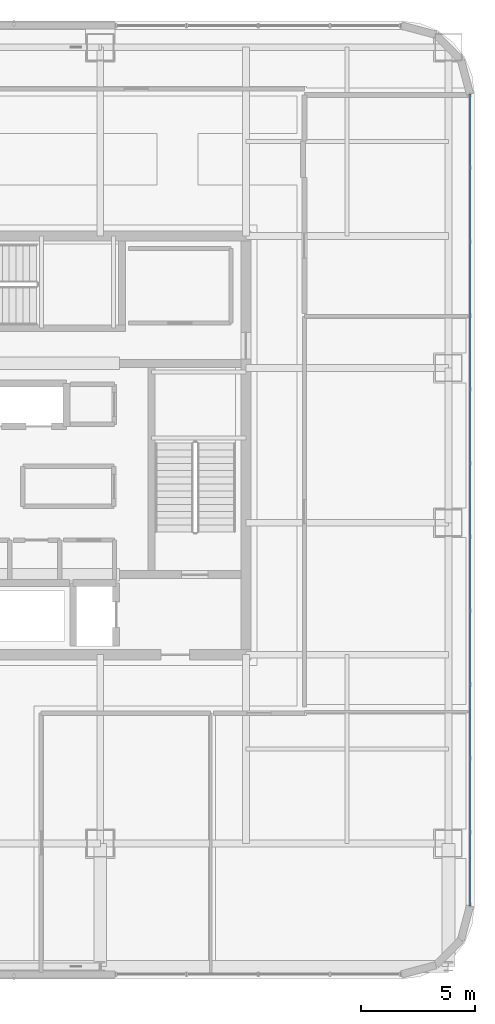
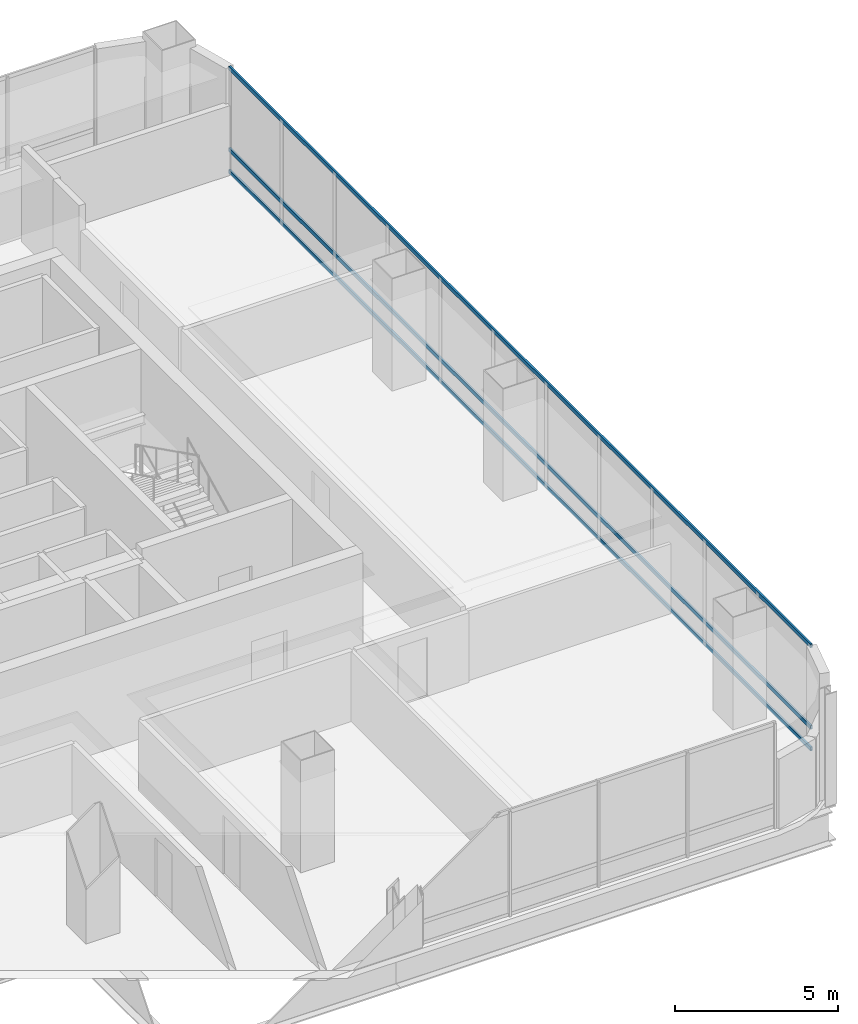
# One storey, part 22 of 46: 3 members, 1 element without a shape of its own.
"""IFC4 building model written with IfcOpenShell, lengths in metres."""

import ifcopenshell
import ifcopenshell.guid

model = None  # the IFC model being written
_history = None  # IfcOwnerHistory: only IFC2X3 demands one
_inside = {}  # id of a spatial element -> (the spatial element, [elements in it])
_under = {}  # id of a project, library or spatial element -> (it, [spatial elements below it])
_declared = {}  # id of a project -> (the project, [libraries it declares])
_typed = {}  # id of a type object -> (the type object, [elements of that type])
_made_of = {}  # id of a material, layer set ... -> (it, [elements and type objects made of it])


def new_model(schema):
    """Start an empty IFC model of exactly this schema.

    Asked for "IFC4X3", IfcOpenShell would pick the latest addendum, in which some entities
    have other attributes; the version numbers below select the first issue.
    IFC2X3 requires an IfcOwnerHistory on every rooted entity: one is made here for all.
    """
    global model, _history
    if schema == "IFC4X3":
        model = ifcopenshell.file(schema_version=(4, 3, 0, 0))
    else:
        model = ifcopenshell.file(schema=schema)
    _inside.clear()
    _under.clear()
    _declared.clear()
    _typed.clear()
    _made_of.clear()
    _history = None
    if model.schema == "IFC2X3":
        org = make("IfcOrganization", Name="unknown")
        user = make(
            "IfcPersonAndOrganization",
            ThePerson=make("IfcPerson", FamilyName="unknown"),
            TheOrganization=org,
        )
        app = make(
            "IfcApplication",
            ApplicationDeveloper=org,
            Version="unknown",
            ApplicationFullName="unknown",
            ApplicationIdentifier="unknown",
        )
        _history = make(
            "IfcOwnerHistory",
            OwningUser=user,
            OwningApplication=app,
            ChangeAction="ADDED",
            CreationDate=0,
        )
    return model


def make(cls, **values):
    """One entity of the class cls with the attributes given. An attribute that is None is left unset."""
    return model.create_entity(
        cls, **{name: value for name, value in values.items() if value is not None}
    )


def rooted(cls, **values):
    """An entity with a GlobalId (a new one), such as an element, a storey or a relation."""
    return make(cls, GlobalId=ifcopenshell.guid.new(), OwnerHistory=_history, **values)


def si_unit(unit_type, name, prefix=None):
    """IfcSIUnit, for example si_unit("LENGTHUNIT", "METRE", prefix="MILLI")."""
    return make("IfcSIUnit", UnitType=unit_type, Prefix=prefix, Name=name)


def assignment(units):
    """IfcUnitAssignment: the units of a project."""
    return None if units is None else make("IfcUnitAssignment", Units=units)


def point(xyz):
    """IfcCartesianPoint."""
    return None if xyz is None else make("IfcCartesianPoint", Coordinates=xyz)


def direction(xyz):
    """IfcDirection."""
    return None if xyz is None else make("IfcDirection", DirectionRatios=xyz)


def frame(location, z_axis=None, x_axis=None):
    """IfcAxis2Placement3D, a coordinate frame: its origin and axes. An axis left out is left unset."""
    return make(
        "IfcAxis2Placement3D",
        Location=point(location),
        Axis=direction(z_axis),
        RefDirection=direction(x_axis),
    )


def frame_2d(location, x_axis=None):
    """IfcAxis2Placement2D, a coordinate frame in the plane: its origin and x axis."""
    return make(
        "IfcAxis2Placement2D", Location=point(location), RefDirection=direction(x_axis)
    )


def origin():
    """The frame at (0, 0, 0) with its axes left unset."""
    return frame((0.0, 0.0, 0.0))


def origin_2d():
    """The frame at (0, 0) in the plane with its x axis left unset."""
    return frame_2d((0.0, 0.0))


def place(relative_to, where):
    """IfcLocalPlacement: puts the frame where relative to a parent placement (None: the world)."""
    return make(
        "IfcLocalPlacement", PlacementRelTo=relative_to, RelativePlacement=where
    )


def context(
    kind, dimensions, precision=None, world=None, true_north=None, identifier=None
):
    """IfcGeometricRepresentationContext, for example the 3D "Model" context."""
    return make(
        "IfcGeometricRepresentationContext",
        ContextIdentifier=identifier,
        ContextType=kind,
        CoordinateSpaceDimension=dimensions,
        Precision=precision,
        WorldCoordinateSystem=world,
        TrueNorth=true_north,
    )


def subcontext(parent, identifier, kind, view, scale=None):
    """IfcGeometricRepresentationSubContext, for example "Body" below "Model"."""
    return make(
        "IfcGeometricRepresentationSubContext",
        ContextIdentifier=identifier,
        ContextType=kind,
        ParentContext=parent,
        TargetScale=scale,
        TargetView=view,
    )


def project(units=None, contexts=None):
    """IfcProject with its units and contexts."""
    return rooted(
        "IfcProject",
        Name="project",
        RepresentationContexts=contexts,
        UnitsInContext=assignment(units),
    )


def spatial(cls, under=None, at=None, **own):
    """A site, building, storey or space (cls), placed at a placement, below another one or the project."""
    s = rooted(cls, ObjectPlacement=at, **own)
    if under is not None:
        _under.setdefault(under.id(), (under, []))[1].append(s)
    return s


def profile(cls, at=None, kind="AREA", **sizes):
    """A parametric profile (cls). Its sizes go by their IFC names, for example OverallWidth=200.0."""
    return make(cls, ProfileType=kind, Position=at, **sizes)


def hollow_rectangle(**sizes):
    """IfcRectangleHollowProfileDef."""
    return profile("IfcRectangleHollowProfileDef", **sizes)


def extrude(swept, where, along, depth):
    """IfcExtrudedAreaSolid: the profile swept, set in the frame where, extruded along a direction by depth."""
    return make(
        "IfcExtrudedAreaSolid",
        SweptArea=swept,
        Position=where,
        ExtrudedDirection=direction(along),
        Depth=depth,
    )


def shape(context_of_items, identifier, shape_type, items):
    """IfcShapeRepresentation: the items that make up one representation, for example the "Body"."""
    return make(
        "IfcShapeRepresentation",
        ContextOfItems=context_of_items,
        RepresentationIdentifier=identifier,
        RepresentationType=shape_type,
        Items=items,
    )


def material(Name=None, Category=None):
    """IfcMaterial."""
    return make("IfcMaterial", Name=Name, Category=Category)


def material_profile(
    of_material, cross_section, Name=None, Category=None, Priority=None
):
    """IfcMaterialProfile: a cross section and its material."""
    return make(
        "IfcMaterialProfile",
        Name=Name,
        Material=of_material,
        Profile=cross_section,
        Priority=Priority,
        Category=Category,
    )


def profile_set(profiles, Name=None, composite=None):
    """IfcMaterialProfileSet."""
    return make(
        "IfcMaterialProfileSet",
        Name=Name,
        MaterialProfiles=profiles,
        CompositeProfile=composite,
    )


def made_of(thing, what):
    """Note that an element or type object is made of a material, layer set ...; save() writes the relation."""
    if what is not None:
        _made_of.setdefault(what.id(), (what, []))[1].append(thing)
    return thing


def type_object(cls, material=None, **own):
    """A type object (cls), such as IfcWallType, which elements share."""
    return made_of(rooted(cls, **own), material)


def element(
    cls,
    number,
    at=None,
    inside=None,
    cuts=None,
    type_object=None,
    material=None,
    context=None,
    identifier="Body",
    shape_type=None,
    held_by="IfcProductDefinitionShape",
    body=None,
    shapes=None,
    **own,
):
    """One element of the class cls, such as IfcWall. Its Tag is "e" and its number.

    at: its placement. inside: the storey or other place that contains it. cuts: it is an
    opening in that element (IfcRelVoidsElement). A single representation is given by context,
    identifier, shape_type and body (its items); several are given by shapes. held_by: the class
    of the entity that holds the representations. save() writes the other relations.
    """
    e = rooted(cls, Tag="e%d" % number, ObjectPlacement=at, **own)
    if body is not None:
        shapes = [shape(context, identifier, shape_type, body)]
    if shapes is not None:
        e.Representation = make(held_by, Representations=shapes)
    if inside is not None:
        _inside.setdefault(inside.id(), (inside, []))[1].append(e)
    if cuts is not None:
        rooted(
            "IfcRelVoidsElement", RelatingBuildingElement=cuts, RelatedOpeningElement=e
        )
    if type_object is not None:
        _typed.setdefault(type_object.id(), (type_object, []))[1].append(e)
    return made_of(e, material)


def aggregate(whole, parts):
    """IfcRelAggregates: a whole, such as a stair, and the parts it consists of."""
    return rooted("IfcRelAggregates", RelatingObject=whole, RelatedObjects=parts)


def save(model, path):
    """Write the relations noted so far, then the file.

    IfcRelAggregates (storeys below a building ...), IfcRelContainedInSpatialStructure (elements
    in a storey), IfcRelDefinesByType, IfcRelAssociatesMaterial and IfcRelDeclares: one each for
    every whole, place, type object, material and project.
    """
    for whole, parts in _under.values():
        aggregate(whole, parts)
    for where, things in _inside.values():
        rooted(
            "IfcRelContainedInSpatialStructure",
            RelatedElements=things,
            RelatingStructure=where,
        )
    for kind, things in _typed.values():
        rooted("IfcRelDefinesByType", RelatedObjects=things, RelatingType=kind)
    for what, things in _made_of.values():
        rooted("IfcRelAssociatesMaterial", RelatedObjects=things, RelatingMaterial=what)
    for by, libraries in _declared.values():
        rooted("IfcRelDeclares", RelatingContext=by, RelatedDefinitions=libraries)
    model.write(path)


model = new_model("IFC4")

# Units and contexts
model_context = context("Model", 3, precision=1e-05, world=origin(), true_north=direction((0.0, 1.0)))
body_context = subcontext(model_context, "Body", "Model", "MODEL_VIEW")
ifc_project = project(units=[si_unit("LENGTHUNIT", "METRE"), si_unit("AREAUNIT", "SQUARE_METRE"), si_unit("VOLUMEUNIT", "CUBIC_METRE"), si_unit("PLANEANGLEUNIT", "RADIAN"), si_unit("MASSUNIT", "GRAM", prefix="KILO")], contexts=[model_context])

# Site, building, storey
site_placement = place(None, origin())
site = spatial("IfcSite", under=ifc_project, at=site_placement, CompositionType="ELEMENT")
building_placement = place(site_placement, origin())
building = spatial("IfcBuilding", under=site, at=building_placement, Name="Punatoya Terracotta Tower", CompositionType="ELEMENT")
storey_placement = place(building_placement, frame((0.0, 0.0, 330.0)))
storey = spatial("IfcBuildingStorey", under=building, at=storey_placement, Name="L78", CompositionType="ELEMENT", Elevation=330.0)

# Curtain wall, members
ifc_material_1 = material(Name="Aluminium 6063-T6 + Double Low-E Glass", Category="aluminium")
curtain_wall_type = type_object("IfcCurtainWallType", Name="CW-OBS", PredefinedType="NOTDEFINED", material=ifc_material_1)
curtain_wall_placement = place(storey_placement, origin())
curtain_wall = element("IfcCurtainWall", 1, at=curtain_wall_placement, inside=storey, type_object=curtain_wall_type, Name="L78 Curtain Wall CW-L78-E05-1", PredefinedType="NOTDEFINED")
ifc_material_2 = material(Name="Aluminium 6063-T6", Category="aluminium")
ifc_material_profile = material_profile(ifc_material_2, hollow_rectangle(XDim=0.068115234375, YDim=0.14990234375, WallThickness=0.00390625, at=origin_2d()))
ifc_profile_set = profile_set([ifc_material_profile], Name="Aluminium 6063-T6")
member_type = type_object("IfcMemberType", Name="CW-TRN-TYP", PredefinedType="USERDEFINED", material=ifc_profile_set)
member_1_placement = place(storey_placement, frame((20.050048828125, -20.23681640625, 0.0400390625), z_axis=(0.0, 1.0, 0.0), x_axis=(-1.0, 0.0, 0.0)))
member_1 = element("IfcMember", 2, at=member_1_placement, type_object=member_type, Name="CW-L78-E05-1 Transom 1", ObjectType="TRANSOM", PredefinedType="USERDEFINED", context=body_context, shape_type="SweptSolid", body=[
    extrude(hollow_rectangle(XDim=0.068115234375, YDim=0.14990234375, WallThickness=0.00390625, at=origin_2d()), origin(), (0.0, 0.0, 1.0), 35.673828125),
])
member_2_placement = place(storey_placement, frame((20.050048828125, -20.23681640625, 0.85009765625), z_axis=(0.0, 1.0, 0.0), x_axis=(-1.0, 0.0, 0.0)))
member_2 = element("IfcMember", 3, at=member_2_placement, type_object=member_type, Name="CW-L78-E05-1 Transom 2", ObjectType="TRANSOM", PredefinedType="USERDEFINED", context=body_context, shape_type="SweptSolid", body=[
    extrude(hollow_rectangle(XDim=0.068115234375, YDim=0.14990234375, WallThickness=0.00390625, at=origin_2d()), origin(), (0.0, 0.0, 1.0), 35.673828125),
])
member_3_placement = place(storey_placement, frame((20.050048828125, -20.23681640625, 3.89990234375), z_axis=(0.0, 1.0, 0.0), x_axis=(-1.0, 0.0, 0.0)))
member_3 = element("IfcMember", 4, at=member_3_placement, type_object=member_type, Name="CW-L78-E05-1 Transom 3", ObjectType="TRANSOM", PredefinedType="USERDEFINED", context=body_context, shape_type="SweptSolid", body=[
    extrude(hollow_rectangle(XDim=0.068115234375, YDim=0.14990234375, WallThickness=0.00390625, at=origin_2d()), origin(), (0.0, 0.0, 1.0), 35.673828125),
])
aggregate(curtain_wall, [member_1, member_2, member_3])

save(model, "model.ifc")
